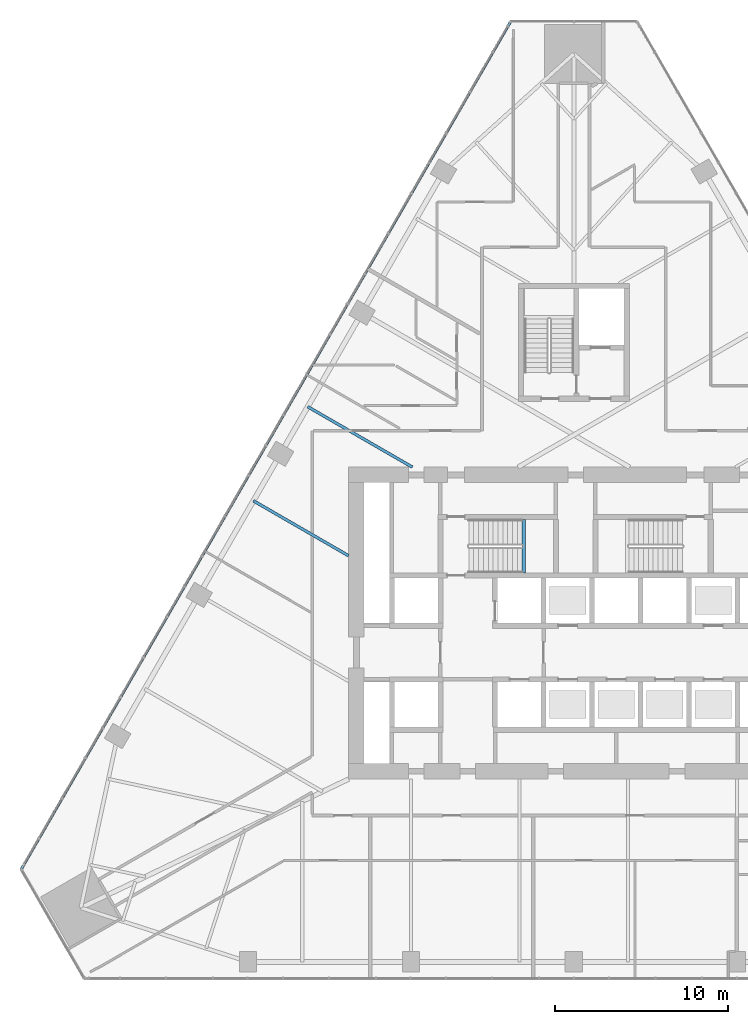
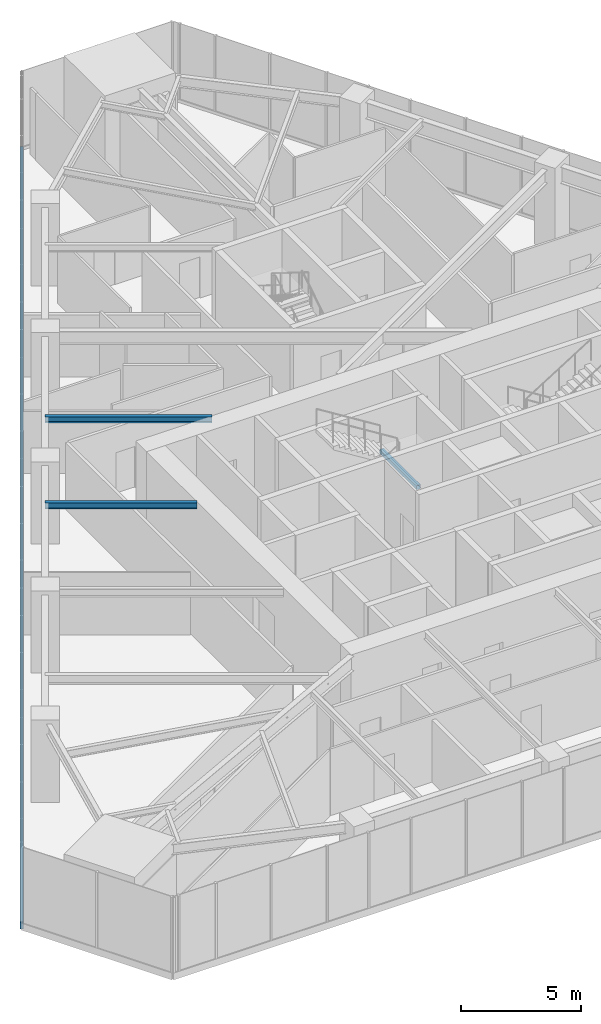
# One storey, part 5 of 21: 3 beams, 1 member, 1 element without a shape of its own.
"""IFC4 building model written with IfcOpenShell, lengths in metres."""

from ifc_helpers import new_model, si_unit, direction, frame, origin, origin_2d, place, context, subcontext, project, spatial, rectangle, i_section, extrude, material, layer, layer_set, material_profile, profile_set, type_object, element, aggregate, save


model = new_model("IFC4")

# Units and contexts
model_context = context("Model", 3, precision=1e-05, world=origin(), true_north=direction((0.0, 1.0)))
body_context = subcontext(model_context, "Body", "Model", "MODEL_VIEW")
ifc_project = project(units=[si_unit("LENGTHUNIT", "METRE"), si_unit("AREAUNIT", "SQUARE_METRE"), si_unit("VOLUMEUNIT", "CUBIC_METRE"), si_unit("PLANEANGLEUNIT", "RADIAN"), si_unit("MASSUNIT", "GRAM", prefix="KILO")], contexts=[model_context])

# Site, building, storey
site_placement = place(None, origin())
site = spatial("IfcSite", under=ifc_project, at=site_placement, CompositionType="ELEMENT")
building_placement = place(site_placement, origin())
building = spatial("IfcBuilding", under=site, at=building_placement, Name="Firuza Gate Tower and Library", CompositionType="ELEMENT")
storey_placement = place(building_placement, frame((0.0, 0.0, 98.800048828125)))
storey = spatial("IfcBuildingStorey", under=building, at=storey_placement, Name="L22", CompositionType="ELEMENT", Elevation=98.800048828125)

# Curtain wall, member
ifc_material_1 = material(Name="Aluminium 6063-T6", Category="aluminium")
ifc_layer = layer(ifc_material_1, 0.14990234375)
ifc_layer_set = layer_set([ifc_layer], Name="Unitised curtain wall, offices")
curtain_wall_type = type_object("IfcCurtainWallType", Name="Unitised curtain wall, offices", PredefinedType="NOTDEFINED", material=ifc_layer_set)
curtain_wall_placement = place(storey_placement, origin())
curtain_wall = element("IfcCurtainWall", 1, at=curtain_wall_placement, inside=storey, type_object=curtain_wall_type, Name="CW1 L22 W face", PredefinedType="NOTDEFINED")
ifc_material_2 = material(Name="Aluminium 6063-T6", Category="aluminium")
ifc_material_profile_1 = material_profile(ifc_material_2, rectangle(XDim=0.14990234375, YDim=0.35009765625, at=origin_2d()))
ifc_profile_set_1 = profile_set([ifc_material_profile_1], Name="Aluminium 6063-T6")
member_type = type_object("IfcMemberType", Name="Curtain wall transom 350x150", PredefinedType="USERDEFINED", material=ifc_profile_set_1)
member_placement = place(storey_placement, frame((71.356689453125, 109.727783203125, -0.025146484375), z_axis=(-0.499998712401, -0.866026147179, 0.0), x_axis=(0.866026147179, -0.499998712401, 0.0)))
member = element("IfcMember", 2, at=member_placement, type_object=member_type, Name="Transom", ObjectType="TRANSOM", PredefinedType="USERDEFINED", context=body_context, shape_type="SweptSolid", body=[
    extrude(rectangle(XDim=0.14990234375, YDim=0.35009765625, at=origin_2d()), origin(), (0.0, 0.0, 1.0), 56.507080078125),
])
aggregate(curtain_wall, [member])

# Beams
ifc_material_3 = material(Name="Concrete C35/45", Category="concrete")
ifc_material_profile_2 = material_profile(ifc_material_3, rectangle(XDim=0.199951171875, YDim=0.199951171875, at=origin_2d()))
ifc_profile_set_2 = profile_set([ifc_material_profile_2], Name="Concrete C35/45")
beam_type_1 = type_object("IfcBeamType", Name="Stair landing bearer 200x200", PredefinedType="BEAM", material=ifc_profile_set_2)
beam_1_placement = place(storey_placement, frame((72.1201171875, 77.89990234375, 1.800048828125), z_axis=(0.0, 1.0, 0.0), x_axis=(-1.0, 0.0, 0.0)))
element("IfcBeam", 3, at=beam_1_placement, inside=storey, type_object=beam_type_1, Name="Landing bearer L22 stair 1", PredefinedType="BEAM", context=body_context, shape_type="SweptSolid", body=[
    extrude(rectangle(XDim=0.199951171875, YDim=0.199951171875, at=origin_2d()), origin(), (0.0, 0.0, 1.0), 3.080078125),
])
ifc_material_4 = material(Name="Steel S355", Category="steel")
ifc_material_profile_3 = material_profile(ifc_material_4, i_section(OverallWidth=0.1650390625, OverallDepth=0.31005859375, WebThickness=0.005859375, FlangeThickness=0.009765625, at=origin_2d()))
ifc_profile_set_3 = profile_set([ifc_material_profile_3], Name="Steel S355")
beam_type_2 = type_object("IfcBeamType", Name="W310x39 Floor beam", PredefinedType="JOIST", material=ifc_profile_set_3)
beam_2_placement = place(storey_placement, frame((59.6416015625, 87.486572265625, 3.844970703125), z_axis=(0.866021748659, -0.50000633081, 0.0), x_axis=(0.50000633081, 0.866021748659, 0.0)))
element("IfcBeam", 4, at=beam_2_placement, inside=storey, type_object=beam_type_2, Name="Floor beam L22 s82", PredefinedType="JOIST", context=body_context, shape_type="SweptSolid", body=[
    extrude(i_section(OverallWidth=0.1650390625, OverallDepth=0.31005859375, WebThickness=0.005859375, FlangeThickness=0.009765625, at=origin_2d()), origin(), (0.0, 0.0, 1.0), 6.97314453125),
])
beam_3_placement = place(storey_placement, frame((56.507080078125, 82.0576171875, 3.844970703125), z_axis=(0.866022132074, -0.500005666725, 0.0), x_axis=(0.500005666725, 0.866022132074, 0.0)))
element("IfcBeam", 5, at=beam_3_placement, inside=storey, type_object=beam_type_2, Name="Floor beam L22 s83", PredefinedType="JOIST", context=body_context, shape_type="SweptSolid", body=[
    extrude(i_section(OverallWidth=0.1650390625, OverallDepth=0.31005859375, WebThickness=0.005859375, FlangeThickness=0.009765625, at=origin_2d()), origin(), (0.0, 0.0, 1.0), 6.3427734375),
])

save(model, "model.ifc")
